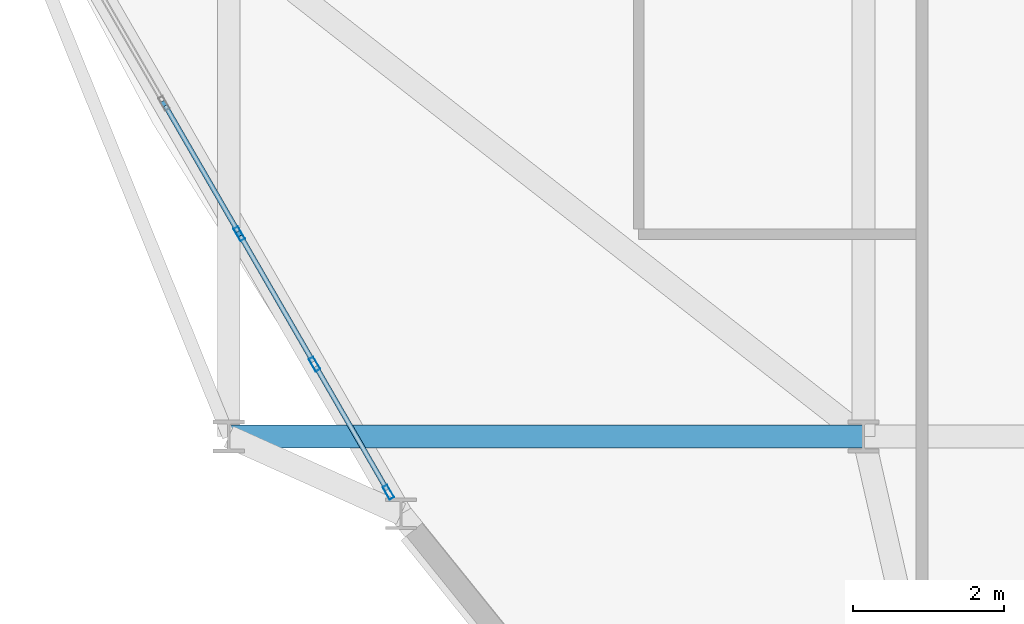
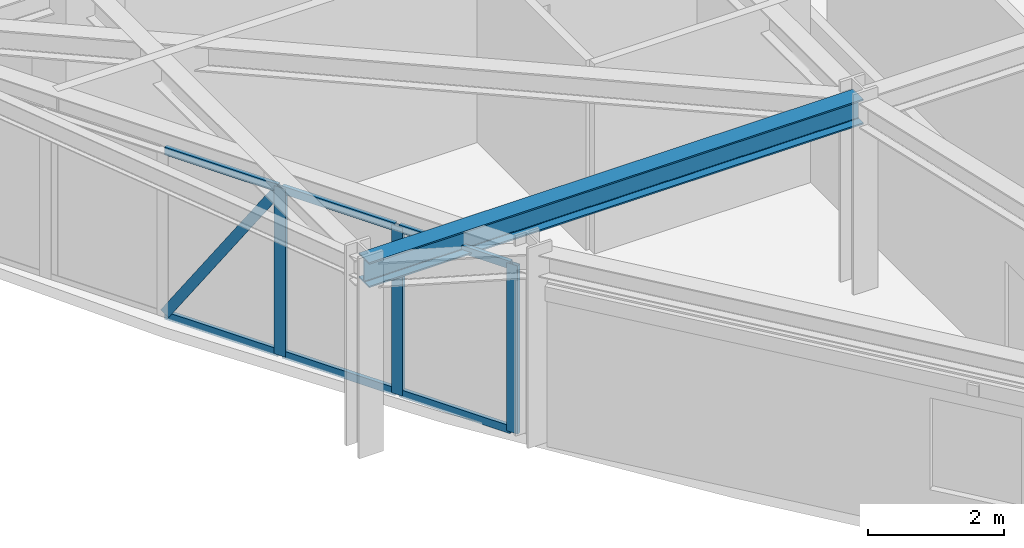
# One storey, part 2 of 16: 10 members, 1 beam, 1 element without a shape of its own.
"""IFC4 building model written with IfcOpenShell, lengths in metres."""

from ifc_helpers import new_model, si_unit, derived_unit, direction, frame, origin, origin_2d, place, context, subcontext, project, spatial, hollow_rectangle, i_section, extrude, source, transform, mapped, material, layer, layer_set, material_profile, profile_set, type_object, element, aggregate, save


model = new_model("IFC4")

# Units and contexts
model_context = context("Model", 3, precision=1e-05, world=origin(), true_north=direction((0.0, 1.0)))
body_context = subcontext(model_context, "Body", "Model", "MODEL_VIEW")
ifc_project = project(units=[si_unit("LENGTHUNIT", "METRE"), si_unit("AREAUNIT", "SQUARE_METRE"), si_unit("VOLUMEUNIT", "CUBIC_METRE"), si_unit("PLANEANGLEUNIT", "RADIAN"), si_unit("MASSUNIT", "GRAM", prefix="KILO"), derived_unit("THERMALTRANSMITTANCEUNIT", [(si_unit("POWERUNIT", "WATT"), 1), (si_unit("LENGTHUNIT", "METRE"), -2), (si_unit("THERMODYNAMICTEMPERATUREUNIT", "KELVIN"), -1)])], contexts=[model_context])

# Site, building, storey
site_placement = place(None, origin())
site = spatial("IfcSite", under=ifc_project, at=site_placement, CompositionType="ELEMENT")
building_placement = place(site_placement, origin())
building = spatial("IfcBuilding", under=site, at=building_placement, Name="Korsvarv Bourse and Concert Hall", CompositionType="ELEMENT")
storey_placement = place(building_placement, frame((0.0, 0.0, 216.60009765625)))
storey = spatial("IfcBuildingStorey", under=building, at=storey_placement, Name="L56", CompositionType="ELEMENT", Elevation=216.60009765625)

# Beam
ifc_material_1 = material(Name="Steel S355", Category="steel")
ifc_material_profile_1 = material_profile(ifc_material_1, i_section(OverallWidth=0.300048828125, OverallDepth=0.449951171875, WebThickness=0.013916015625, FlangeThickness=0.02587890625, FilletRadius=0.02099609375, at=origin_2d()), Name="HEB 450")
ifc_profile_set_1 = profile_set([ifc_material_profile_1], Name="Steel S355")
beam_type = type_object("IfcBeamType", Name="BM-HEB450", PredefinedType="SPANDREL", material=ifc_profile_set_1)
shared_shape_1 = source(origin(), body_context, "Body", "SweptSolid", [
    extrude(i_section(OverallWidth=0.300048828125, OverallDepth=0.449951171875, WebThickness=0.013916015625, FlangeThickness=0.02587890625, FilletRadius=0.02099609375, at=origin_2d()), origin(), (0.0, 0.0, 1.0), 8.39990234375),
])
beam_placement = place(storey_placement, frame((27.60009765625, 24.0, 3.184814453125), z_axis=(1.0, 0.0, 0.0), x_axis=(0.0, 1.0, 0.0)))
element("IfcBeam", 1, at=beam_placement, inside=storey, type_object=beam_type, Name="L56 beam B-08", PredefinedType="SPANDREL", context=body_context, shape_type="MappedRepresentation", body=[
    mapped(shared_shape_1, transform((0.0, 0.0, 0.0), scale=1.0)),
])

# Curtain wall, members
ifc_material_2 = material(Name="Anodised aluminium and triple low-E glazing", Category="glass")
ifc_layer = layer(ifc_material_2, 0.199951171875)
ifc_layer_set = layer_set([ifc_layer], Name="Anodised aluminium and triple low-E glazing")
curtain_wall_type = type_object("IfcCurtainWallType", Name="CW-SYS-3", PredefinedType="NOTDEFINED", material=ifc_layer_set)
curtain_wall_placement = place(storey_placement, origin())
curtain_wall = element("IfcCurtainWall", 2, at=curtain_wall_placement, inside=storey, type_object=curtain_wall_type, Name="L56 CW3 curtain wall CW-L56-F07-2", PredefinedType="NOTDEFINED")
ifc_material_3 = material(Name="Extruded aluminium EN AW-6063 T66", Category="aluminium")
ifc_material_profile_2 = material_profile(ifc_material_3, hollow_rectangle(XDim=0.070068359375, YDim=0.18994140625, WallThickness=0.0048828125, at=origin_2d()), Name="ALU-M 70x190")
ifc_profile_set_2 = profile_set([ifc_material_profile_2], Name="Extruded aluminium EN AW-6063 T66")
member_type_1 = type_object("IfcMemberType", Name="CWM-190", PredefinedType="MULLION", material=ifc_profile_set_2)
shared_shape_2 = source(origin(), body_context, "Body", "SweptSolid", [
    extrude(hollow_rectangle(XDim=0.070068359375, YDim=0.18994140625, WallThickness=0.0048828125, at=origin_2d()), origin(), (0.0, 0.0, 1.0), 3.02001953125),
])
member_1_placement = place(storey_placement, frame((27.73828125, 26.6845703125, 0.0), z_axis=(0.0, 0.0, 1.0), x_axis=(0.866027766968, 0.499995906824, 0.0)))
member_1 = element("IfcMember", 3, at=member_1_placement, type_object=member_type_1, Name="CW3 mullion 4", PredefinedType="MULLION", context=body_context, shape_type="MappedRepresentation", body=[
    mapped(shared_shape_2, transform((0.0, 0.0, 0.0), scale=1.0)),
])
member_2_placement = place(storey_placement, frame((28.734375, 24.959228515625, 0.0), z_axis=(0.0, 0.0, 1.0), x_axis=(0.866027766968, 0.499995906824, 0.0)))
member_2 = element("IfcMember", 4, at=member_2_placement, type_object=member_type_1, Name="CW3 mullion 5", PredefinedType="MULLION", context=body_context, shape_type="MappedRepresentation", body=[
    mapped(shared_shape_2, transform((0.0, 0.0, 0.0), scale=1.0)),
])
member_3_placement = place(storey_placement, frame((29.712890625, 23.26416015625, 0.0), z_axis=(0.0, 0.0, 1.0), x_axis=(0.866027766968, 0.499995906824, 0.0)))
member_3 = element("IfcMember", 5, at=member_3_placement, type_object=member_type_1, Name="CW3 mullion 6", PredefinedType="MULLION", context=body_context, shape_type="MappedRepresentation", body=[
    mapped(shared_shape_2, transform((0.0, 0.0, 0.0), scale=1.0)),
])
ifc_material_profile_3 = material_profile(ifc_material_3, hollow_rectangle(XDim=0.06494140625, YDim=0.139892578125, WallThickness=0.00390625, at=origin_2d()), Name="ALU-T 65x140")
ifc_profile_set_3 = profile_set([ifc_material_profile_3], Name="Extruded aluminium EN AW-6063 T66")
member_type_2 = type_object("IfcMemberType", Name="CWT-140", PredefinedType="USERDEFINED", material=ifc_profile_set_3)
shared_shape_3 = source(origin(), body_context, "Body", "SweptSolid", [
    extrude(hollow_rectangle(XDim=0.06494140625, YDim=0.139892578125, WallThickness=0.00390625, at=origin_2d()), origin(), (0.0, 0.0, 1.0), 1.922119140625),
])
member_4_placement = place(storey_placement, frame((26.759765625, 28.37939453125, 0.032470703125), z_axis=(0.499964356602, -0.866045981532, 0.0), x_axis=(0.866045981532, 0.499964356602, 0.0)))
member_4 = element("IfcMember", 6, at=member_4_placement, type_object=member_type_2, Name="CW3 transom 3.1", ObjectType="TRANSOM", PredefinedType="USERDEFINED", context=body_context, shape_type="MappedRepresentation", body=[
    mapped(shared_shape_3, transform((0.0, 0.0, 0.0), scale=1.0)),
])
member_5_placement = place(storey_placement, frame((26.759765625, 28.37939453125, 2.9873046875), z_axis=(0.499964356602, -0.866045981532, 0.0), x_axis=(0.866045981532, 0.499964356602, 0.0)))
member_5 = element("IfcMember", 7, at=member_5_placement, type_object=member_type_2, Name="CW3 transom 3.2", ObjectType="TRANSOM", PredefinedType="USERDEFINED", context=body_context, shape_type="MappedRepresentation", body=[
    mapped(shared_shape_3, transform((0.0, 0.0, 0.0), scale=1.0)),
])
member_6_placement = place(storey_placement, frame((27.755859375, 26.654052734375, 0.032470703125), z_axis=(0.499964356602, -0.866045981532, 0.0), x_axis=(0.866045981532, 0.499964356602, 0.0)))
member_6 = element("IfcMember", 8, at=member_6_placement, type_object=member_type_2, Name="CW3 transom 4.1", ObjectType="TRANSOM", PredefinedType="USERDEFINED", context=body_context, shape_type="MappedRepresentation", body=[
    mapped(shared_shape_3, transform((0.0, 0.0, 0.0), scale=1.0)),
])
member_7_placement = place(storey_placement, frame((27.755859375, 26.654052734375, 2.9873046875), z_axis=(0.499964356602, -0.866045981532, 0.0), x_axis=(0.866045981532, 0.499964356602, 0.0)))
member_7 = element("IfcMember", 9, at=member_7_placement, type_object=member_type_2, Name="CW3 transom 4.2", ObjectType="TRANSOM", PredefinedType="USERDEFINED", context=body_context, shape_type="MappedRepresentation", body=[
    mapped(shared_shape_3, transform((0.0, 0.0, 0.0), scale=1.0)),
])
ifc_material_profile_4 = material_profile(ifc_material_3, hollow_rectangle(XDim=0.06494140625, YDim=0.1650390625, WallThickness=0.0048828125, at=origin_2d()), Name="ALU-M 65x165")
ifc_profile_set_4 = profile_set([ifc_material_profile_4], Name="Extruded aluminium EN AW-6063 T66")
member_type_3 = type_object("IfcMemberType", Name="CWM-165", PredefinedType="MULLION", material=ifc_profile_set_4)
shared_shape_4 = source(origin(), body_context, "Body", "SweptSolid", [
    extrude(hollow_rectangle(XDim=0.06494140625, YDim=0.1650390625, WallThickness=0.0048828125, at=origin_2d()), origin(), (0.0, 0.0, 1.0), 3.470703125),
])
member_8_placement = place(storey_placement, frame((26.759765625, 28.37939453125, 0.06494140625), z_axis=(0.276873095046, -0.47960385214, 0.832659254588), x_axis=(0.866045981532, 0.499964356602, 0.0)))
member_8 = element("IfcMember", 10, at=member_8_placement, type_object=member_type_3, Name="CW3 diagonal mullion 3", PredefinedType="MULLION", context=body_context, shape_type="MappedRepresentation", body=[
    mapped(shared_shape_4, transform((0.0, 0.0, 0.0), scale=1.0)),
])
shared_shape_5 = source(origin(), body_context, "Body", "SweptSolid", [
    extrude(hollow_rectangle(XDim=0.06494140625, YDim=0.139892578125, WallThickness=0.00390625, at=origin_2d()), origin(), (0.0, 0.0, 1.0), 1.887451171875),
])
member_9_placement = place(storey_placement, frame((28.751708984375, 24.928955078125, 0.032470703125), z_axis=(0.499965068118, -0.866045570776, 0.0), x_axis=(0.866045570776, 0.499965068118, 0.0)))
member_9 = element("IfcMember", 11, at=member_9_placement, type_object=member_type_2, Name="CW3 transom 5.1", ObjectType="TRANSOM", PredefinedType="USERDEFINED", context=body_context, shape_type="MappedRepresentation", body=[
    mapped(shared_shape_5, transform((0.0, 0.0, 0.0), scale=1.0)),
])
member_10_placement = place(storey_placement, frame((28.751708984375, 24.928955078125, 2.9873046875), z_axis=(0.499965068118, -0.866045570776, 0.0), x_axis=(0.866045570776, 0.499965068118, 0.0)))
member_10 = element("IfcMember", 12, at=member_10_placement, type_object=member_type_2, Name="CW3 transom 5.2", ObjectType="TRANSOM", PredefinedType="USERDEFINED", context=body_context, shape_type="MappedRepresentation", body=[
    mapped(shared_shape_5, transform((0.0, 0.0, 0.0), scale=1.0)),
])
aggregate(curtain_wall, [member_1, member_2, member_3, member_4, member_5, member_8, member_6, member_7, member_9, member_10])

save(model, "model.ifc")
